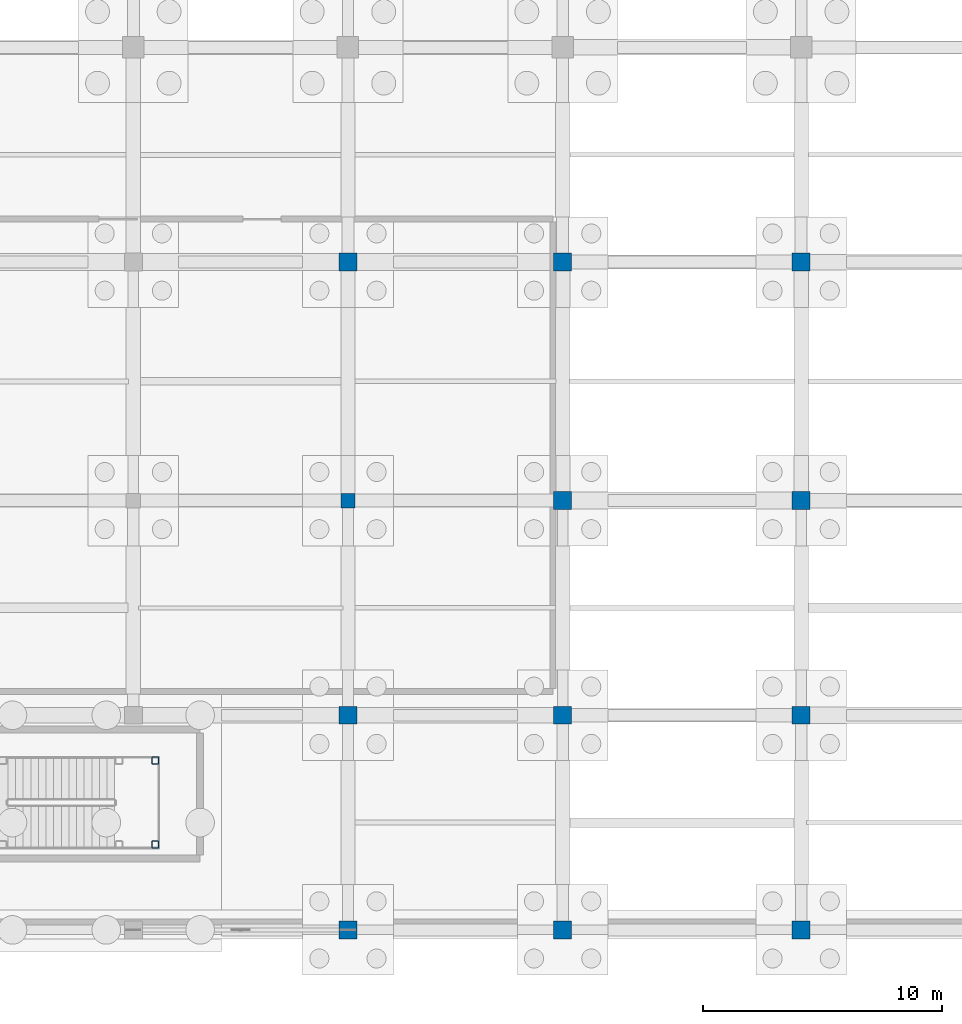
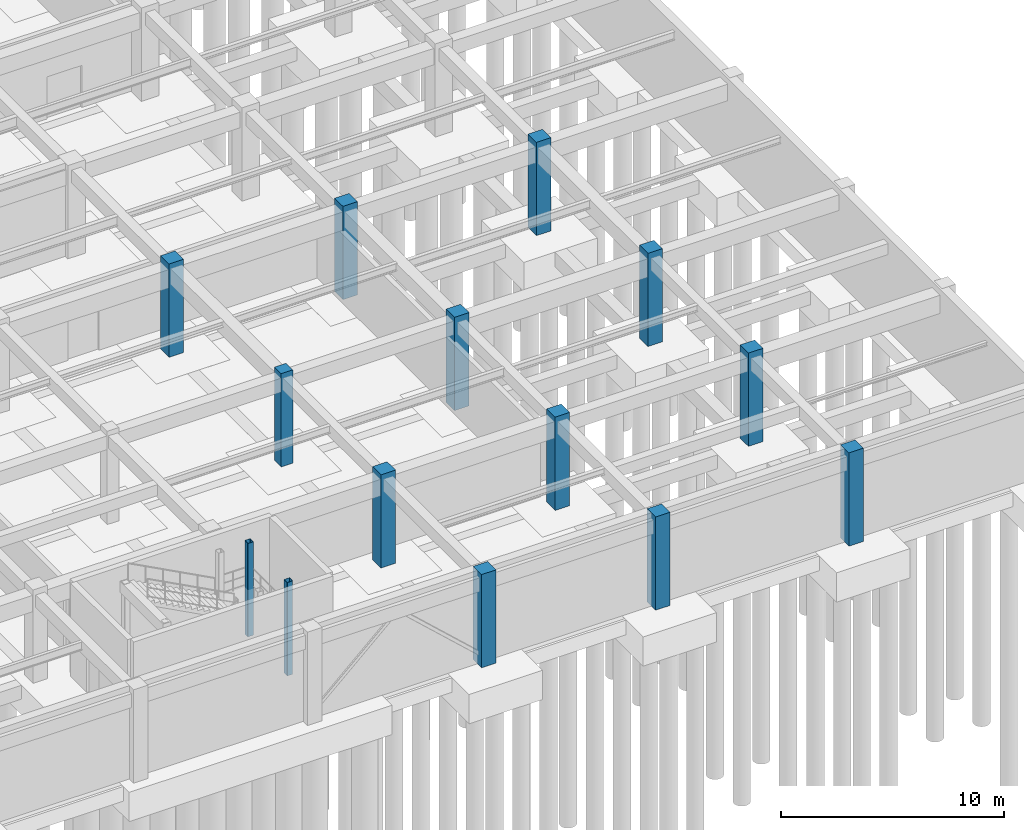
# One storey, part 25 of 62: 14 columns.
"""IFC4 building model written with IfcOpenShell, lengths in metres."""

from ifc_helpers import new_model, si_unit, direction, frame, origin, origin_2d, place, context, subcontext, project, spatial, rectangle, hollow_rectangle, extrude, material, material_profile, profile_set, type_object, element, save


model = new_model("IFC4")

# Units and contexts
model_context = context("Model", 3, precision=1e-05, world=origin(), true_north=direction((0.0, 1.0)))
body_context = subcontext(model_context, "Body", "Model", "MODEL_VIEW")
ifc_project = project(units=[si_unit("LENGTHUNIT", "METRE"), si_unit("AREAUNIT", "SQUARE_METRE"), si_unit("VOLUMEUNIT", "CUBIC_METRE"), si_unit("PLANEANGLEUNIT", "RADIAN"), si_unit("MASSUNIT", "GRAM", prefix="KILO")], contexts=[model_context])

# Site, building, storey
site_placement = place(None, origin())
site = spatial("IfcSite", under=ifc_project, at=site_placement, CompositionType="ELEMENT")
building_placement = place(site_placement, origin())
building = spatial("IfcBuilding", under=site, at=building_placement, Name="Miravela Opera House", CompositionType="ELEMENT")
storey_placement = place(building_placement, frame((0.0, 0.0, -5.10009765625)))
storey = spatial("IfcBuildingStorey", under=building, at=storey_placement, Name="B01", CompositionType="ELEMENT", Elevation=-5.10009765625)

# Columns
ifc_material_1 = material(Name="Hollow structural steel ASTM A500 Gr. C", Category="steel")
ifc_material_profile_1 = material_profile(ifc_material_1, hollow_rectangle(XDim=0.300048828125, YDim=0.300048828125, WallThickness=0.01611328125, InnerFilletRadius=0.01611328125, OuterFilletRadius=0.031982421875, at=origin_2d()), Name="HSS300X300X16")
ifc_profile_set_1 = profile_set([ifc_material_profile_1])
column_type_1 = type_object("IfcColumnType", Name="STR-COL-HSS300", PredefinedType="COLUMN", material=ifc_profile_set_1)
for number, where, z_axis, x_axis, name in (
    (1, (126.919921875, 3.580078125, 0.0), (0.0, 0.0, 1.0), (1.0, 0.0, 0.0), "Stair ST-10 Landing Support Column 5 (B01)"),
    (2, (126.919921875, 7.10009765625, 0.0), (0.0, 0.0, 1.0), (1.0, 0.0, 0.0), "Stair ST-10 Landing Support Column 6 (B01)"),
):
    element("IfcColumn", number, at=place(storey_placement, frame(where, z_axis=z_axis, x_axis=x_axis)), inside=storey, type_object=column_type_1, Name=name, PredefinedType="COLUMN", context=body_context, shape_type="SweptSolid", body=[
        extrude(hollow_rectangle(XDim=0.300048828125, YDim=0.300048828125, WallThickness=0.01611328125, InnerFilletRadius=0.01611328125, OuterFilletRadius=0.031982421875, at=origin_2d()), origin(), (0.0, 0.0, 1.0), 5.10009765625),
    ])
ifc_material_2 = material(Name="Concrete C35/45", Category="concrete")
ifc_material_profile_2 = material_profile(ifc_material_2, rectangle(XDim=0.60009765625, YDim=0.60009765625, at=origin_2d()), Name="RC-COL-600X600")
ifc_profile_set_2 = profile_set([ifc_material_profile_2])
column_type_2 = type_object("IfcColumnType", Name="STR-COL-RC600", PredefinedType="COLUMN", material=ifc_profile_set_2)
column_placement = place(storey_placement, frame((135.0, 18.0, 0.0), z_axis=(0.0, 0.0, 1.0), x_axis=(1.0, 0.0, 0.0)))
element("IfcColumn", 3, at=column_placement, inside=storey, type_object=column_type_2, Name="Column C-16C (B01)", PredefinedType="COLUMN", context=body_context, shape_type="SweptSolid", body=[
    extrude(rectangle(XDim=0.60009765625, YDim=0.60009765625, at=origin_2d()), origin(), (0.0, 0.0, 1.0), 5.10009765625),
])
ifc_material_profile_3 = material_profile(ifc_material_2, rectangle(XDim=0.75, YDim=0.75, at=origin_2d()), Name="RC-COL-750X750")
ifc_profile_set_3 = profile_set([ifc_material_profile_3])
column_type_3 = type_object("IfcColumnType", Name="STR-COL-RC750", PredefinedType="COLUMN", material=ifc_profile_set_3)
for number, where, z_axis, x_axis, name in (
    (4, (135.0, 0.0, 0.0), (0.0, 0.0, 1.0), (1.0, 0.0, 0.0), "Column C-16A (B01)"),
    (5, (135.0, 9.0, 0.0), (0.0, 0.0, 1.0), (1.0, 0.0, 0.0), "Column C-16B (B01)"),
    (6, (135.0, 28.0, 0.0), (0.0, 0.0, 1.0), (1.0, 0.0, 0.0), "Column C-16D (B01)"),
    (7, (144.0, 0.0, 0.0), (0.0, 0.0, 1.0), (1.0, 0.0, 0.0), "Column C-17A (B01)"),
    (8, (144.0, 9.0, 0.0), (0.0, 0.0, 1.0), (1.0, 0.0, 0.0), "Column C-17B (B01)"),
    (9, (144.0, 18.0, 0.0), (0.0, 0.0, 1.0), (1.0, 0.0, 0.0), "Column C-17C (B01)"),
    (10, (144.0, 28.0, 0.0), (0.0, 0.0, 1.0), (1.0, 0.0, 0.0), "Column C-17D (B01)"),
    (11, (154.0, 0.0, 0.0), (0.0, 0.0, 1.0), (1.0, 0.0, 0.0), "Column C-18A (B01)"),
    (12, (154.0, 9.0, 0.0), (0.0, 0.0, 1.0), (1.0, 0.0, 0.0), "Column C-18B (B01)"),
    (13, (154.0, 18.0, 0.0), (0.0, 0.0, 1.0), (1.0, 0.0, 0.0), "Column C-18C (B01)"),
    (14, (154.0, 28.0, 0.0), (0.0, 0.0, 1.0), (1.0, 0.0, 0.0), "Column C-18D (B01)"),
):
    element("IfcColumn", number, at=place(storey_placement, frame(where, z_axis=z_axis, x_axis=x_axis)), inside=storey, type_object=column_type_3, Name=name, PredefinedType="COLUMN", context=body_context, shape_type="SweptSolid", body=[
        extrude(rectangle(XDim=0.75, YDim=0.75, at=origin_2d()), origin(), (0.0, 0.0, 1.0), 5.10009765625),
    ])

save(model, "model.ifc")
